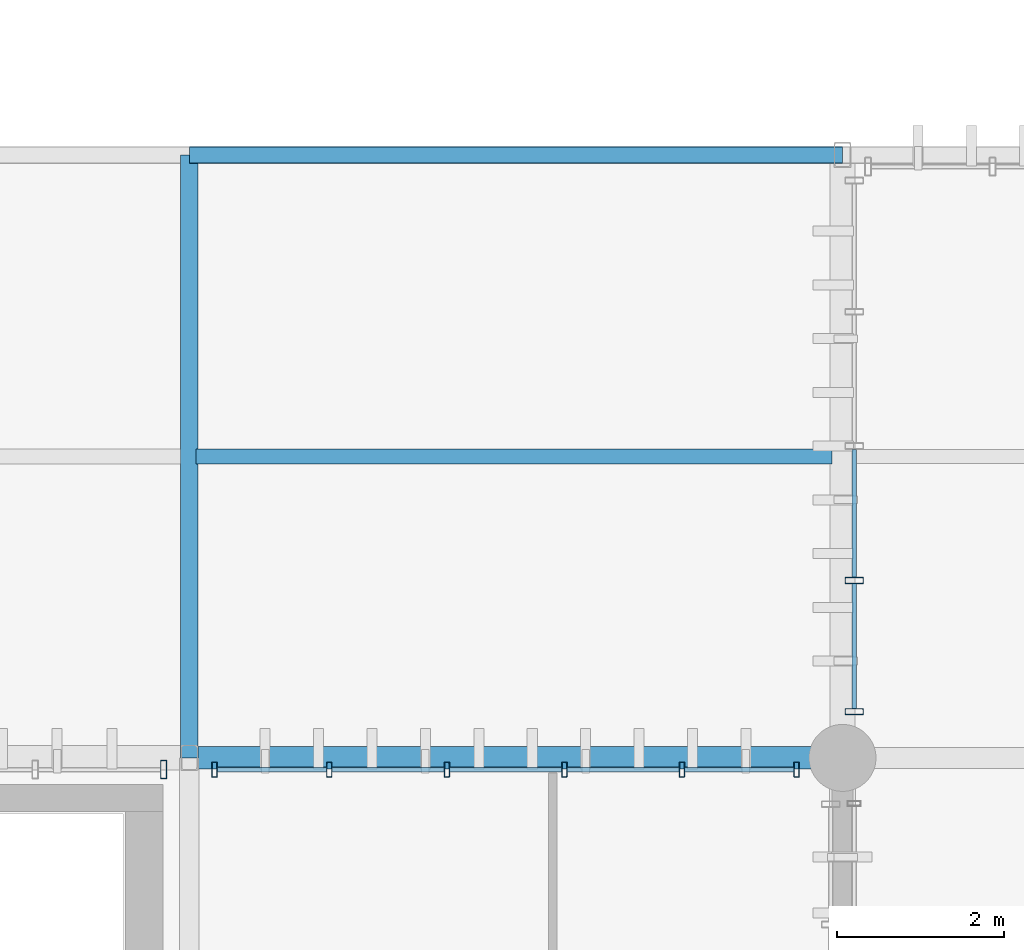
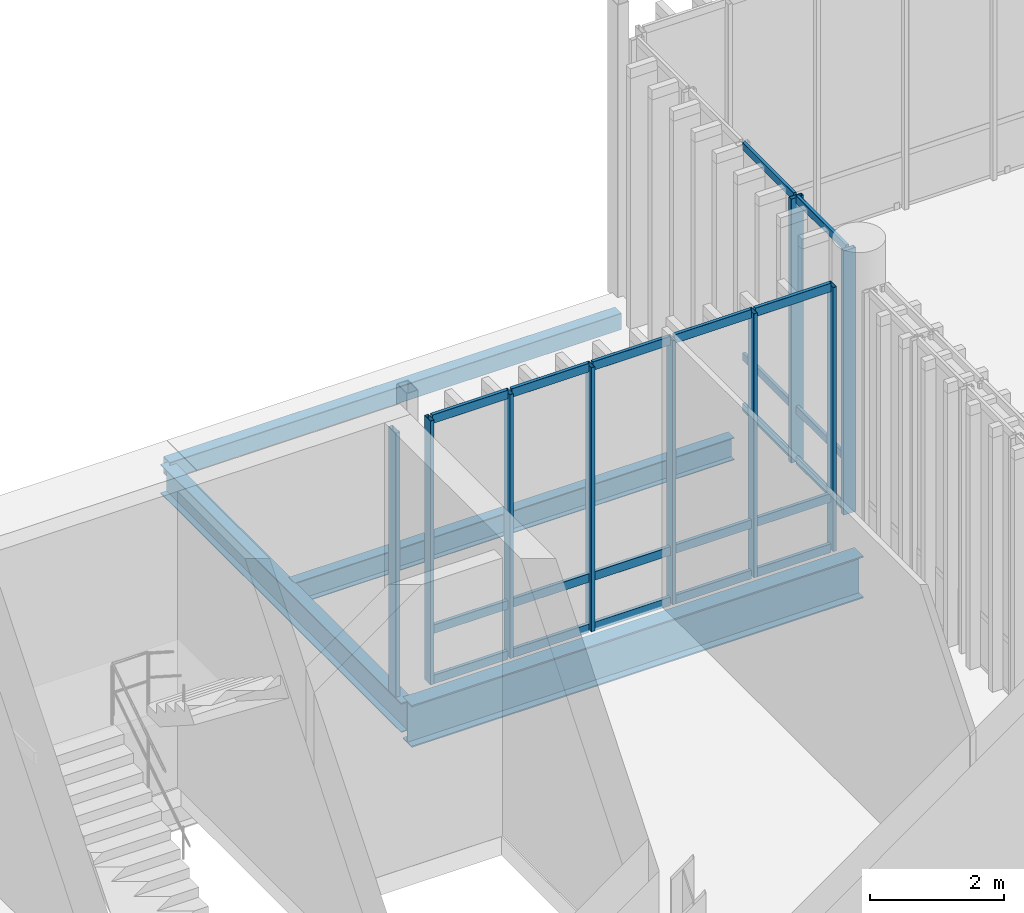
# One storey, part 38 of 112: 30 members, 4 beams, 3 elements without a shape of their own.
"""IFC4 building model written with IfcOpenShell, lengths in metres."""

from ifc_helpers import new_model, si_unit, direction, frame, origin_with_axes, origin_2d_with_axis, place, context, subcontext, project, spatial, hollow_rectangle, i_section, extrude, material, material_profile, profile_set, type_object, element, aggregate, save


model = new_model("IFC4")

# Units and contexts
model_context = context("Model", 3, precision=1e-05, world=origin_with_axes(), true_north=direction((0.0, 1.0)))
body_context = subcontext(model_context, "Body", "Model", "MODEL_VIEW")
ifc_project = project(units=[si_unit("LENGTHUNIT", "METRE"), si_unit("AREAUNIT", "SQUARE_METRE"), si_unit("VOLUMEUNIT", "CUBIC_METRE"), si_unit("PLANEANGLEUNIT", "RADIAN"), si_unit("MASSUNIT", "GRAM", prefix="KILO"), si_unit("THERMODYNAMICTEMPERATUREUNIT", "KELVIN")], contexts=[model_context])

# Site, building, storey
site_placement = place(None, origin_with_axes())
site = spatial("IfcSite", under=ifc_project, at=site_placement, CompositionType="ELEMENT")
building_placement = place(site_placement, origin_with_axes())
building = spatial("IfcBuilding", under=site, at=building_placement, Name="Montbau Bow Law Courts", CompositionType="ELEMENT")
storey_placement = place(building_placement, origin_with_axes())
storey = spatial("IfcBuildingStorey", under=building, at=storey_placement, Name="L00", CompositionType="ELEMENT", Elevation=0.0)

# Beams
ifc_material_1 = material(Name="Steel CSA G40.21 Grade 350W (350 MPa)", Category="steel")
ifc_material_profile_1 = material_profile(ifc_material_1, i_section(OverallWidth=0.267, OverallDepth=0.766, WebThickness=0.0149, FlangeThickness=0.0236, at=origin_2d_with_axis()), Name="W760X185", Category="Main", Priority=0)
ifc_profile_set_1 = profile_set([ifc_material_profile_1], Name="Steel CSA G40.21 Grade 350W (350 MPa)")
beam_type_1 = type_object("IfcBeamType", Name="B-FLR-03", PredefinedType="BEAM", material=ifc_profile_set_1)
beam_1_placement = place(None, frame((39.0, 54.6, -0.723), z_axis=(1.0, 0.0, 0.0), x_axis=(0.0, 1.0, 0.0)))
element("IfcBeam", 1, at=beam_1_placement, inside=storey, type_object=beam_type_1, Name="BM-L00-S0213:bm2_0216", PredefinedType="BEAM", context=body_context, shape_type="SweptSolid", body=[
    extrude(i_section(OverallWidth=0.267, OverallDepth=0.766, WebThickness=0.0149, FlangeThickness=0.0236, at=origin_2d_with_axis()), origin_with_axes(), (0.0, 0.0, 1.0), 7.8),
])
ifc_material_profile_2 = material_profile(ifc_material_1, i_section(OverallWidth=0.21, OverallDepth=0.537, WebThickness=0.0109, FlangeThickness=0.0174, at=origin_2d_with_axis()), Name="W530X101", Category="Main", Priority=0)
ifc_profile_set_2 = profile_set([ifc_material_profile_2], Name="Steel CSA G40.21 Grade 350W (350 MPa)")
beam_type_2 = type_object("IfcBeamType", Name="B-FLR-06", PredefinedType="BEAM", material=ifc_profile_set_2)
beam_2_placement = place(None, frame((39.0, 54.6, -0.609), z_axis=(0.0, 1.0, 0.0), x_axis=(-1.0, 0.0, 0.0)))
element("IfcBeam", 2, at=beam_2_placement, inside=storey, type_object=beam_type_2, Name="BM-L00-S0266:bm2_0269", PredefinedType="BEAM", context=body_context, shape_type="SweptSolid", body=[
    extrude(i_section(OverallWidth=0.21, OverallDepth=0.537, WebThickness=0.0109, FlangeThickness=0.0174, at=origin_2d_with_axis()), origin_with_axes(), (0.0, 0.0, 1.0), 7.2),
])
ifc_material_profile_3 = material_profile(ifc_material_1, i_section(OverallWidth=0.179, OverallDepth=0.41, WebThickness=0.0088, FlangeThickness=0.0144, at=origin_2d_with_axis()), Name="W410X67", Category="Main", Priority=0)
ifc_profile_set_3 = profile_set([ifc_material_profile_3], Name="Steel CSA G40.21 Grade 350W (350 MPa)")
beam_type_3 = type_object("IfcBeamType", Name="B-JST-02", PredefinedType="JOIST", material=ifc_profile_set_3)
beam_3_placement = place(None, frame((39.081, 58.2, -0.545), z_axis=(1.0, 0.0, 0.0), x_axis=(0.0, 1.0, 0.0)))
element("IfcBeam", 3, at=beam_3_placement, inside=storey, type_object=beam_type_3, Name="JST-L00-S0041:jst2_0041", PredefinedType="JOIST", context=body_context, shape_type="SweptSolid", body=[
    extrude(i_section(OverallWidth=0.179, OverallDepth=0.41, WebThickness=0.0088, FlangeThickness=0.0144, at=origin_2d_with_axis()), origin_with_axes(), (0.0, 0.0, 1.0), 7.596),
])
ifc_material_2 = material(Name="Steel CSA G40.21 Grade 350WT (350 MPa)", Category="steel")
ifc_material_profile_4 = material_profile(ifc_material_2, hollow_rectangle(XDim=0.203, YDim=0.305, WallThickness=0.0127, InnerFilletRadius=0.0254, OuterFilletRadius=0.0127, at=origin_2d_with_axis()), Name="HSS305X203X13", Category="Main", Priority=0)
ifc_profile_set_4 = profile_set([ifc_material_profile_4], Name="Steel CSA G40.21 Grade 350WT (350 MPa)")
beam_type_4 = type_object("IfcBeamType", Name="B-SPN-02", PredefinedType="SPANDREL", material=ifc_profile_set_4)
beam_4_placement = place(None, frame((39.0, 61.8, -0.443), z_axis=(1.0, 0.0, 0.0), x_axis=(0.0, 1.0, 0.0)))
element("IfcBeam", 4, at=beam_4_placement, inside=storey, type_object=beam_type_4, Name="SPN-L00-S0226:bm2_0229", PredefinedType="SPANDREL", context=body_context, shape_type="SweptSolid", body=[
    extrude(hollow_rectangle(XDim=0.203, YDim=0.305, WallThickness=0.0127, InnerFilletRadius=0.0254, OuterFilletRadius=0.0127, at=origin_2d_with_axis()), origin_with_axes(), (0.0, 0.0, 1.0), 7.8),
])

# Curtain wall, member
ifc_material_3 = material(Name="Thermally Broken Extruded Aluminium AA 6063-T6", Category="aluminium")
curtain_wall_type_1 = type_object("IfcCurtainWallType", Name="CW-TRC-01", PredefinedType="NOTDEFINED", material=ifc_material_3)
curtain_wall_1_placement = place(None, frame((30.867, 54.46, 0.0), z_axis=(0.0, 0.0, 1.0), x_axis=(1.0, 0.0, 0.0)))
curtain_wall_1 = element("IfcCurtainWall", 5, at=curtain_wall_1_placement, inside=storey, type_object=curtain_wall_type_1, Name="CW-L00-009:cw_0009", PredefinedType="NOTDEFINED")
ifc_material_profile_5 = material_profile(ifc_material_3, hollow_rectangle(XDim=0.075, YDim=0.22, WallThickness=0.005, InnerFilletRadius=0.01, OuterFilletRadius=0.005, at=origin_2d_with_axis()), Name="CWM-220X75", Category="Main", Priority=0)
ifc_profile_set_5 = profile_set([ifc_material_profile_5], Name="Thermally Broken Extruded Aluminium AA 6063-T6")
member_type_1 = type_object("IfcMemberType", Name="M-MUL-01", PredefinedType="MULLION", material=ifc_profile_set_5)
member_1_placement = place(None, frame((38.694, 54.46, 0.0), z_axis=(0.0, 0.0, 1.0), x_axis=(1.0, 0.0, 0.0)))
member_1 = element("IfcMember", 6, at=member_1_placement, type_object=member_type_1, Name="CW-L00-009-M06:cw_0009_M06", PredefinedType="MULLION", context=body_context, shape_type="SweptSolid", body=[
    extrude(hollow_rectangle(XDim=0.075, YDim=0.22, WallThickness=0.005, InnerFilletRadius=0.01, OuterFilletRadius=0.005, at=origin_2d_with_axis()), origin_with_axes(), (0.0, 0.0, 1.0), 4.82),
])
aggregate(curtain_wall_1, [member_1])

# Curtain wall, members
curtain_wall_type_2 = type_object("IfcCurtainWallType", Name="CW-CRM-01", PredefinedType="NOTDEFINED", material=ifc_material_3)
curtain_wall_2_placement = place(None, frame((46.94, 55.115, 0.0), z_axis=(0.0, 0.0, 1.0), x_axis=(1.0, 0.0, 0.0)))
curtain_wall_2 = element("IfcCurtainWall", 7, at=curtain_wall_2_placement, inside=storey, type_object=curtain_wall_type_2, Name="CW-L00-135:cw_0135", PredefinedType="NOTDEFINED")
member_2_placement = place(None, frame((46.94, 55.152, 0.0), z_axis=(0.0, 0.0, 1.0), x_axis=(0.0, 1.0, 0.0)))
member_2 = element("IfcMember", 8, at=member_2_placement, type_object=member_type_1, Name="CW-L00-135-M01:cw_0135_M01", PredefinedType="MULLION", context=body_context, shape_type="SweptSolid", body=[
    extrude(hollow_rectangle(XDim=0.075, YDim=0.22, WallThickness=0.005, InnerFilletRadius=0.01, OuterFilletRadius=0.005, at=origin_2d_with_axis()), origin_with_axes(), (0.0, 0.0, 1.0), 4.82),
])
member_3_placement = place(None, frame((46.94, 56.719, 0.0), z_axis=(0.0, 0.0, 1.0), x_axis=(0.0, 1.0, 0.0)))
member_3 = element("IfcMember", 9, at=member_3_placement, type_object=member_type_1, Name="CW-L00-135-M02:cw_0135_M02", PredefinedType="MULLION", context=body_context, shape_type="SweptSolid", body=[
    extrude(hollow_rectangle(XDim=0.075, YDim=0.22, WallThickness=0.005, InnerFilletRadius=0.01, OuterFilletRadius=0.005, at=origin_2d_with_axis()), origin_with_axes(), (0.0, 0.0, 1.0), 4.82),
])

curtain_wall_3_placement = place(None, frame((39.268, 54.46, 0.0), z_axis=(0.0, 0.0, 1.0), x_axis=(1.0, 0.0, 0.0)))
curtain_wall_3 = element("IfcCurtainWall", 10, at=curtain_wall_3_placement, inside=storey, type_object=curtain_wall_type_1, Name="CW-L00-010:cw_0010", PredefinedType="NOTDEFINED")
ifc_material_profile_6 = material_profile(ifc_material_3, hollow_rectangle(XDim=0.065, YDim=0.18, WallThickness=0.005, InnerFilletRadius=0.01, OuterFilletRadius=0.005, at=origin_2d_with_axis()), Name="CWM-180X65", Category="Main", Priority=0)
ifc_profile_set_6 = profile_set([ifc_material_profile_6], Name="Thermally Broken Extruded Aluminium AA 6063-T6")
member_type_2 = type_object("IfcMemberType", Name="M-MUL-02", PredefinedType="MULLION", material=ifc_profile_set_6)
member_4_placement = place(None, frame((39.301, 54.46, 0.0), z_axis=(0.0, 0.0, 1.0), x_axis=(1.0, 0.0, 0.0)))
member_4 = element("IfcMember", 11, at=member_4_placement, type_object=member_type_2, Name="CW-L00-010-M01:cw_0010_M01", PredefinedType="MULLION", context=body_context, shape_type="SweptSolid", body=[
    extrude(hollow_rectangle(XDim=0.065, YDim=0.18, WallThickness=0.005, InnerFilletRadius=0.01, OuterFilletRadius=0.005, at=origin_2d_with_axis()), origin_with_axes(), (0.0, 0.0, 1.0), 4.82),
])
member_5_placement = place(None, frame((40.671, 54.46, 0.0), z_axis=(0.0, 0.0, 1.0), x_axis=(1.0, 0.0, 0.0)))
member_5 = element("IfcMember", 12, at=member_5_placement, type_object=member_type_2, Name="CW-L00-010-M02:cw_0010_M02", PredefinedType="MULLION", context=body_context, shape_type="SweptSolid", body=[
    extrude(hollow_rectangle(XDim=0.065, YDim=0.18, WallThickness=0.005, InnerFilletRadius=0.01, OuterFilletRadius=0.005, at=origin_2d_with_axis()), origin_with_axes(), (0.0, 0.0, 1.0), 4.82),
])
member_6_placement = place(None, frame((42.075, 54.46, 0.0), z_axis=(0.0, 0.0, 1.0), x_axis=(1.0, 0.0, 0.0)))
member_6 = element("IfcMember", 13, at=member_6_placement, type_object=member_type_2, Name="CW-L00-010-M03:cw_0010_M03", PredefinedType="MULLION", context=body_context, shape_type="SweptSolid", body=[
    extrude(hollow_rectangle(XDim=0.065, YDim=0.18, WallThickness=0.005, InnerFilletRadius=0.01, OuterFilletRadius=0.005, at=origin_2d_with_axis()), origin_with_axes(), (0.0, 0.0, 1.0), 4.82),
])
member_7_placement = place(None, frame((43.478, 54.46, 0.0), z_axis=(0.0, 0.0, 1.0), x_axis=(1.0, 0.0, 0.0)))
member_7 = element("IfcMember", 14, at=member_7_placement, type_object=member_type_2, Name="CW-L00-010-M04:cw_0010_M04", PredefinedType="MULLION", context=body_context, shape_type="SweptSolid", body=[
    extrude(hollow_rectangle(XDim=0.065, YDim=0.18, WallThickness=0.005, InnerFilletRadius=0.01, OuterFilletRadius=0.005, at=origin_2d_with_axis()), origin_with_axes(), (0.0, 0.0, 1.0), 4.82),
])
member_8_placement = place(None, frame((44.882, 54.46, 0.0), z_axis=(0.0, 0.0, 1.0), x_axis=(1.0, 0.0, 0.0)))
member_8 = element("IfcMember", 15, at=member_8_placement, type_object=member_type_2, Name="CW-L00-010-M05:cw_0010_M05", PredefinedType="MULLION", context=body_context, shape_type="SweptSolid", body=[
    extrude(hollow_rectangle(XDim=0.065, YDim=0.18, WallThickness=0.005, InnerFilletRadius=0.01, OuterFilletRadius=0.005, at=origin_2d_with_axis()), origin_with_axes(), (0.0, 0.0, 1.0), 4.82),
])
member_9_placement = place(None, frame((46.252, 54.46, 0.0), z_axis=(0.0, 0.0, 1.0), x_axis=(1.0, 0.0, 0.0)))
member_9 = element("IfcMember", 16, at=member_9_placement, type_object=member_type_2, Name="CW-L00-010-M06:cw_0010_M06", PredefinedType="MULLION", context=body_context, shape_type="SweptSolid", body=[
    extrude(hollow_rectangle(XDim=0.065, YDim=0.18, WallThickness=0.005, InnerFilletRadius=0.01, OuterFilletRadius=0.005, at=origin_2d_with_axis()), origin_with_axes(), (0.0, 0.0, 1.0), 4.82),
])
ifc_material_profile_7 = material_profile(ifc_material_3, hollow_rectangle(XDim=0.06, YDim=0.16, WallThickness=0.004, InnerFilletRadius=0.008, OuterFilletRadius=0.004, at=origin_2d_with_axis()), Name="CWT-160X60", Category="Main", Priority=0)
ifc_profile_set_7 = profile_set([ifc_material_profile_7], Name="Thermally Broken Extruded Aluminium AA 6063-T6")
member_type_3 = type_object("IfcMemberType", Name="M-TRN-01", PredefinedType="USERDEFINED", material=ifc_profile_set_7)
member_10_placement = place(None, frame((39.336, 54.46, 0.03), z_axis=(1.0, 0.0, 0.0), x_axis=(0.0, 1.0, 0.0)))
member_10 = element("IfcMember", 17, at=member_10_placement, type_object=member_type_3, Name="CW-L00-010-T01-1:cw_0010_T01_1", ObjectType="TRANSOM", PredefinedType="USERDEFINED", context=body_context, shape_type="SweptSolid", body=[
    extrude(hollow_rectangle(XDim=0.06, YDim=0.16, WallThickness=0.004, InnerFilletRadius=0.008, OuterFilletRadius=0.004, at=origin_2d_with_axis()), origin_with_axes(), (0.0, 0.0, 1.0), 1.301),
])
member_11_placement = place(None, frame((39.336, 54.46, 0.95), z_axis=(1.0, 0.0, 0.0), x_axis=(0.0, 1.0, 0.0)))
member_11 = element("IfcMember", 18, at=member_11_placement, type_object=member_type_3, Name="CW-L00-010-T01-2:cw_0010_T01_2", ObjectType="TRANSOM", PredefinedType="USERDEFINED", context=body_context, shape_type="SweptSolid", body=[
    extrude(hollow_rectangle(XDim=0.06, YDim=0.16, WallThickness=0.004, InnerFilletRadius=0.008, OuterFilletRadius=0.004, at=origin_2d_with_axis()), origin_with_axes(), (0.0, 0.0, 1.0), 1.301),
])
member_12_placement = place(None, frame((39.336, 54.46, 4.79), z_axis=(1.0, 0.0, 0.0), x_axis=(0.0, 1.0, 0.0)))
member_12 = element("IfcMember", 19, at=member_12_placement, type_object=member_type_3, Name="CW-L00-010-T01-3:cw_0010_T01_3", ObjectType="TRANSOM", PredefinedType="USERDEFINED", context=body_context, shape_type="SweptSolid", body=[
    extrude(hollow_rectangle(XDim=0.06, YDim=0.16, WallThickness=0.004, InnerFilletRadius=0.008, OuterFilletRadius=0.004, at=origin_2d_with_axis()), origin_with_axes(), (0.0, 0.0, 1.0), 1.301),
])
member_13_placement = place(None, frame((40.706, 54.46, 0.03), z_axis=(1.0, 0.0, 0.0), x_axis=(0.0, 1.0, 0.0)))
member_13 = element("IfcMember", 20, at=member_13_placement, type_object=member_type_3, Name="CW-L00-010-T02-1:cw_0010_T02_1", ObjectType="TRANSOM", PredefinedType="USERDEFINED", context=body_context, shape_type="SweptSolid", body=[
    extrude(hollow_rectangle(XDim=0.06, YDim=0.16, WallThickness=0.004, InnerFilletRadius=0.008, OuterFilletRadius=0.004, at=origin_2d_with_axis()), origin_with_axes(), (0.0, 0.0, 1.0), 1.334),
])
member_14_placement = place(None, frame((40.706, 54.46, 0.95), z_axis=(1.0, 0.0, 0.0), x_axis=(0.0, 1.0, 0.0)))
member_14 = element("IfcMember", 21, at=member_14_placement, type_object=member_type_3, Name="CW-L00-010-T02-2:cw_0010_T02_2", ObjectType="TRANSOM", PredefinedType="USERDEFINED", context=body_context, shape_type="SweptSolid", body=[
    extrude(hollow_rectangle(XDim=0.06, YDim=0.16, WallThickness=0.004, InnerFilletRadius=0.008, OuterFilletRadius=0.004, at=origin_2d_with_axis()), origin_with_axes(), (0.0, 0.0, 1.0), 1.334),
])
member_15_placement = place(None, frame((40.706, 54.46, 4.79), z_axis=(1.0, 0.0, 0.0), x_axis=(0.0, 1.0, 0.0)))
member_15 = element("IfcMember", 22, at=member_15_placement, type_object=member_type_3, Name="CW-L00-010-T02-3:cw_0010_T02_3", ObjectType="TRANSOM", PredefinedType="USERDEFINED", context=body_context, shape_type="SweptSolid", body=[
    extrude(hollow_rectangle(XDim=0.06, YDim=0.16, WallThickness=0.004, InnerFilletRadius=0.008, OuterFilletRadius=0.004, at=origin_2d_with_axis()), origin_with_axes(), (0.0, 0.0, 1.0), 1.334),
])
member_16_placement = place(None, frame((42.109, 54.46, 0.03), z_axis=(1.0, 0.0, 0.0), x_axis=(0.0, 1.0, 0.0)))
member_16 = element("IfcMember", 23, at=member_16_placement, type_object=member_type_3, Name="CW-L00-010-T03-1:cw_0010_T03_1", ObjectType="TRANSOM", PredefinedType="USERDEFINED", context=body_context, shape_type="SweptSolid", body=[
    extrude(hollow_rectangle(XDim=0.06, YDim=0.16, WallThickness=0.004, InnerFilletRadius=0.008, OuterFilletRadius=0.004, at=origin_2d_with_axis()), origin_with_axes(), (0.0, 0.0, 1.0), 1.335),
])
member_17_placement = place(None, frame((42.109, 54.46, 0.95), z_axis=(1.0, 0.0, 0.0), x_axis=(0.0, 1.0, 0.0)))
member_17 = element("IfcMember", 24, at=member_17_placement, type_object=member_type_3, Name="CW-L00-010-T03-2:cw_0010_T03_2", ObjectType="TRANSOM", PredefinedType="USERDEFINED", context=body_context, shape_type="SweptSolid", body=[
    extrude(hollow_rectangle(XDim=0.06, YDim=0.16, WallThickness=0.004, InnerFilletRadius=0.008, OuterFilletRadius=0.004, at=origin_2d_with_axis()), origin_with_axes(), (0.0, 0.0, 1.0), 1.335),
])
member_18_placement = place(None, frame((42.109, 54.46, 4.79), z_axis=(1.0, 0.0, 0.0), x_axis=(0.0, 1.0, 0.0)))
member_18 = element("IfcMember", 25, at=member_18_placement, type_object=member_type_3, Name="CW-L00-010-T03-3:cw_0010_T03_3", ObjectType="TRANSOM", PredefinedType="USERDEFINED", context=body_context, shape_type="SweptSolid", body=[
    extrude(hollow_rectangle(XDim=0.06, YDim=0.16, WallThickness=0.004, InnerFilletRadius=0.008, OuterFilletRadius=0.004, at=origin_2d_with_axis()), origin_with_axes(), (0.0, 0.0, 1.0), 1.335),
])
member_19_placement = place(None, frame((43.512, 54.46, 0.03), z_axis=(1.0, 0.0, 0.0), x_axis=(0.0, 1.0, 0.0)))
member_19 = element("IfcMember", 26, at=member_19_placement, type_object=member_type_3, Name="CW-L00-010-T04-1:cw_0010_T04_1", ObjectType="TRANSOM", PredefinedType="USERDEFINED", context=body_context, shape_type="SweptSolid", body=[
    extrude(hollow_rectangle(XDim=0.06, YDim=0.16, WallThickness=0.004, InnerFilletRadius=0.008, OuterFilletRadius=0.004, at=origin_2d_with_axis()), origin_with_axes(), (0.0, 0.0, 1.0), 1.336),
])
member_20_placement = place(None, frame((43.512, 54.46, 0.95), z_axis=(1.0, 0.0, 0.0), x_axis=(0.0, 1.0, 0.0)))
member_20 = element("IfcMember", 27, at=member_20_placement, type_object=member_type_3, Name="CW-L00-010-T04-2:cw_0010_T04_2", ObjectType="TRANSOM", PredefinedType="USERDEFINED", context=body_context, shape_type="SweptSolid", body=[
    extrude(hollow_rectangle(XDim=0.06, YDim=0.16, WallThickness=0.004, InnerFilletRadius=0.008, OuterFilletRadius=0.004, at=origin_2d_with_axis()), origin_with_axes(), (0.0, 0.0, 1.0), 1.336),
])
member_21_placement = place(None, frame((43.512, 54.46, 4.79), z_axis=(1.0, 0.0, 0.0), x_axis=(0.0, 1.0, 0.0)))
member_21 = element("IfcMember", 28, at=member_21_placement, type_object=member_type_3, Name="CW-L00-010-T04-3:cw_0010_T04_3", ObjectType="TRANSOM", PredefinedType="USERDEFINED", context=body_context, shape_type="SweptSolid", body=[
    extrude(hollow_rectangle(XDim=0.06, YDim=0.16, WallThickness=0.004, InnerFilletRadius=0.008, OuterFilletRadius=0.004, at=origin_2d_with_axis()), origin_with_axes(), (0.0, 0.0, 1.0), 1.336),
])
member_22_placement = place(None, frame((44.916, 54.46, 0.03), z_axis=(1.0, 0.0, 0.0), x_axis=(0.0, 1.0, 0.0)))
member_22 = element("IfcMember", 29, at=member_22_placement, type_object=member_type_3, Name="CW-L00-010-T05-1:cw_0010_T05_1", ObjectType="TRANSOM", PredefinedType="USERDEFINED", context=body_context, shape_type="SweptSolid", body=[
    extrude(hollow_rectangle(XDim=0.06, YDim=0.16, WallThickness=0.004, InnerFilletRadius=0.008, OuterFilletRadius=0.004, at=origin_2d_with_axis()), origin_with_axes(), (0.0, 0.0, 1.0), 1.302),
])
member_23_placement = place(None, frame((44.916, 54.46, 0.95), z_axis=(1.0, 0.0, 0.0), x_axis=(0.0, 1.0, 0.0)))
member_23 = element("IfcMember", 30, at=member_23_placement, type_object=member_type_3, Name="CW-L00-010-T05-2:cw_0010_T05_2", ObjectType="TRANSOM", PredefinedType="USERDEFINED", context=body_context, shape_type="SweptSolid", body=[
    extrude(hollow_rectangle(XDim=0.06, YDim=0.16, WallThickness=0.004, InnerFilletRadius=0.008, OuterFilletRadius=0.004, at=origin_2d_with_axis()), origin_with_axes(), (0.0, 0.0, 1.0), 1.302),
])
member_24_placement = place(None, frame((44.916, 54.46, 4.79), z_axis=(1.0, 0.0, 0.0), x_axis=(0.0, 1.0, 0.0)))
member_24 = element("IfcMember", 31, at=member_24_placement, type_object=member_type_3, Name="CW-L00-010-T05-3:cw_0010_T05_3", ObjectType="TRANSOM", PredefinedType="USERDEFINED", context=body_context, shape_type="SweptSolid", body=[
    extrude(hollow_rectangle(XDim=0.06, YDim=0.16, WallThickness=0.004, InnerFilletRadius=0.008, OuterFilletRadius=0.004, at=origin_2d_with_axis()), origin_with_axes(), (0.0, 0.0, 1.0), 1.302),
])
aggregate(curtain_wall_3, [member_4, member_5, member_6, member_7, member_8, member_9, member_10, member_11, member_12, member_13, member_14, member_15, member_16, member_17, member_18, member_19, member_20, member_21, member_22, member_23, member_24])

# Member
ifc_material_profile_8 = material_profile(ifc_material_3, hollow_rectangle(XDim=0.055, YDim=0.14, WallThickness=0.004, InnerFilletRadius=0.008, OuterFilletRadius=0.004, at=origin_2d_with_axis()), Name="CWT-140X55", Category="Main", Priority=0)
ifc_profile_set_8 = profile_set([ifc_material_profile_8], Name="Thermally Broken Extruded Aluminium AA 6063-T6")
member_type_4 = type_object("IfcMemberType", Name="M-TRN-02", PredefinedType="USERDEFINED", material=ifc_profile_set_8)
member_25_placement = place(None, frame((46.94, 55.191, 0.028), z_axis=(0.0, 1.0, 0.0), x_axis=(-1.0, 0.0, 0.0)))
member_25 = element("IfcMember", 32, at=member_25_placement, type_object=member_type_4, Name="CW-L00-135-T01-1:cw_0135_T01_1", ObjectType="TRANSOM", PredefinedType="USERDEFINED", context=body_context, shape_type="SweptSolid", body=[
    extrude(hollow_rectangle(XDim=0.055, YDim=0.14, WallThickness=0.004, InnerFilletRadius=0.008, OuterFilletRadius=0.004, at=origin_2d_with_axis()), origin_with_axes(), (0.0, 0.0, 1.0), 1.489),
])

member_26_placement = place(None, frame((46.94, 55.191, 0.95), z_axis=(0.0, 1.0, 0.0), x_axis=(-1.0, 0.0, 0.0)))
member_26 = element("IfcMember", 33, at=member_26_placement, type_object=member_type_4, Name="CW-L00-135-T01-2:cw_0135_T01_2", ObjectType="TRANSOM", PredefinedType="USERDEFINED", context=body_context, shape_type="SweptSolid", body=[
    extrude(hollow_rectangle(XDim=0.055, YDim=0.14, WallThickness=0.004, InnerFilletRadius=0.008, OuterFilletRadius=0.004, at=origin_2d_with_axis()), origin_with_axes(), (0.0, 0.0, 1.0), 1.489),
])

member_27_placement = place(None, frame((46.94, 55.191, 4.793), z_axis=(0.0, 1.0, 0.0), x_axis=(-1.0, 0.0, 0.0)))
member_27 = element("IfcMember", 34, at=member_27_placement, type_object=member_type_4, Name="CW-L00-135-T01-3:cw_0135_T01_3", ObjectType="TRANSOM", PredefinedType="USERDEFINED", context=body_context, shape_type="SweptSolid", body=[
    extrude(hollow_rectangle(XDim=0.055, YDim=0.14, WallThickness=0.004, InnerFilletRadius=0.008, OuterFilletRadius=0.004, at=origin_2d_with_axis()), origin_with_axes(), (0.0, 0.0, 1.0), 1.489),
])

member_28_placement = place(None, frame((46.94, 56.759, 0.028), z_axis=(0.0, 1.0, 0.0), x_axis=(-1.0, 0.0, 0.0)))
member_28 = element("IfcMember", 35, at=member_28_placement, type_object=member_type_4, Name="CW-L00-135-T02-1:cw_0135_T02_1", ObjectType="TRANSOM", PredefinedType="USERDEFINED", context=body_context, shape_type="SweptSolid", body=[
    extrude(hollow_rectangle(XDim=0.055, YDim=0.14, WallThickness=0.004, InnerFilletRadius=0.008, OuterFilletRadius=0.004, at=origin_2d_with_axis()), origin_with_axes(), (0.0, 0.0, 1.0), 1.525),
])

member_29_placement = place(None, frame((46.94, 56.759, 0.95), z_axis=(0.0, 1.0, 0.0), x_axis=(-1.0, 0.0, 0.0)))
member_29 = element("IfcMember", 36, at=member_29_placement, type_object=member_type_4, Name="CW-L00-135-T02-2:cw_0135_T02_2", ObjectType="TRANSOM", PredefinedType="USERDEFINED", context=body_context, shape_type="SweptSolid", body=[
    extrude(hollow_rectangle(XDim=0.055, YDim=0.14, WallThickness=0.004, InnerFilletRadius=0.008, OuterFilletRadius=0.004, at=origin_2d_with_axis()), origin_with_axes(), (0.0, 0.0, 1.0), 1.525),
])

member_30_placement = place(None, frame((46.94, 56.759, 4.793), z_axis=(0.0, 1.0, 0.0), x_axis=(-1.0, 0.0, 0.0)))
member_30 = element("IfcMember", 37, at=member_30_placement, type_object=member_type_4, Name="CW-L00-135-T02-3:cw_0135_T02_3", ObjectType="TRANSOM", PredefinedType="USERDEFINED", context=body_context, shape_type="SweptSolid", body=[
    extrude(hollow_rectangle(XDim=0.055, YDim=0.14, WallThickness=0.004, InnerFilletRadius=0.008, OuterFilletRadius=0.004, at=origin_2d_with_axis()), origin_with_axes(), (0.0, 0.0, 1.0), 1.525),
])

aggregate(curtain_wall_2, [member_2, member_3, member_25, member_26, member_27, member_28, member_29, member_30])

save(model, "model.ifc")
